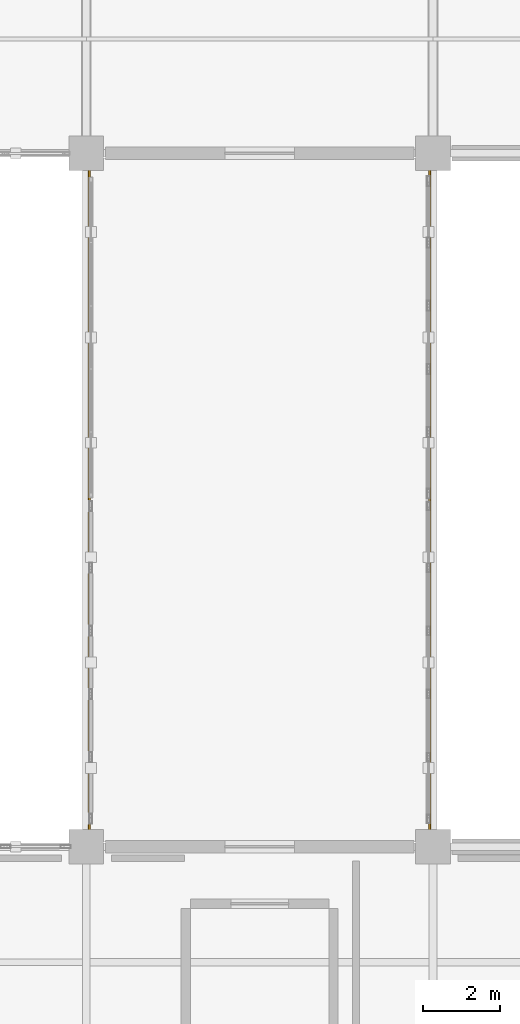
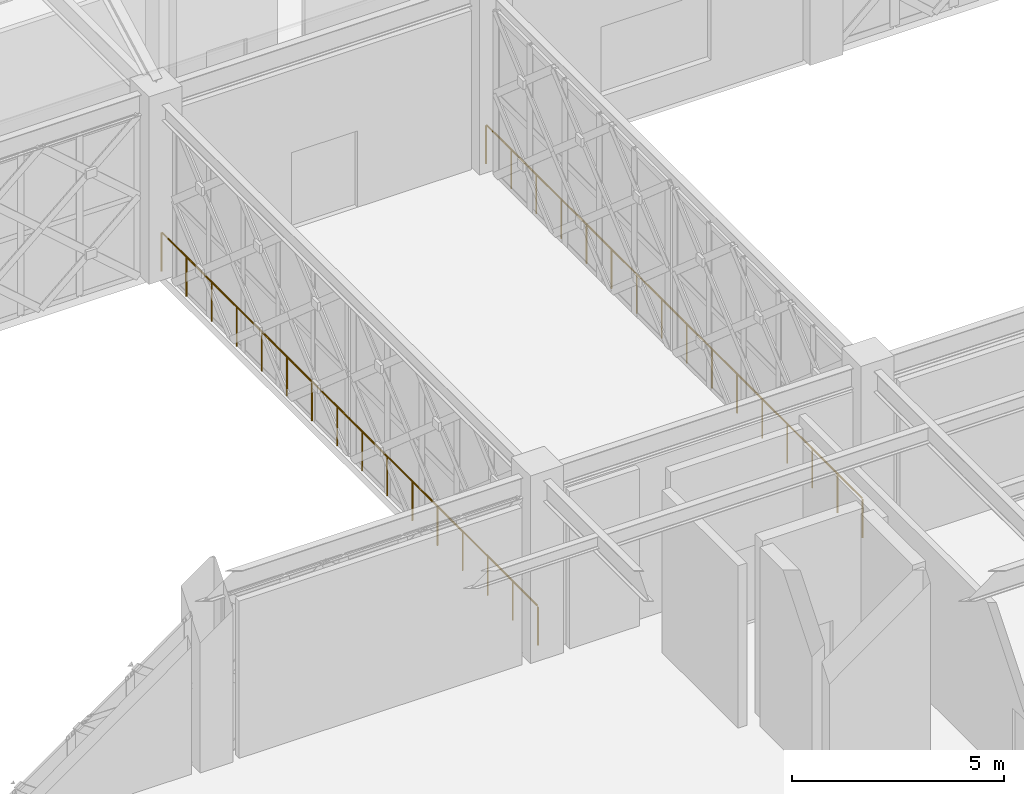
# One storey, part 154 of 166: 2 railings.
"""IFC4 building model written with IfcOpenShell, lengths in metres."""

from ifc_helpers import new_model, si_unit, direction, frame, origin, origin_2d, place, context, subcontext, project, spatial, circle, extrude, material, type_object, element, save


model = new_model("IFC4")

# Units and contexts
model_context = context("Model", 3, precision=1e-05, world=origin(), true_north=direction((0.0, 1.0)))
body_context = subcontext(model_context, "Body", "Model", "MODEL_VIEW")
ifc_project = project(units=[si_unit("LENGTHUNIT", "METRE"), si_unit("AREAUNIT", "SQUARE_METRE"), si_unit("VOLUMEUNIT", "CUBIC_METRE"), si_unit("PLANEANGLEUNIT", "RADIAN"), si_unit("MASSUNIT", "GRAM", prefix="KILO")], contexts=[model_context])

# Site, building, storey
site_placement = place(None, origin())
site = spatial("IfcSite", under=ifc_project, at=site_placement, CompositionType="ELEMENT")
building_placement = place(site_placement, origin())
building = spatial("IfcBuilding", under=site, at=building_placement, Name="Haizhuo Lancet Aquarium", CompositionType="ELEMENT")
storey_placement = place(building_placement, frame((0.0, 0.0, 5.39990234375)))
storey = spatial("IfcBuildingStorey", under=building, at=storey_placement, Name="L01", CompositionType="ELEMENT", Elevation=5.39990234375)

# Railings
ifc_material = material(Name="Steel S355", Category="steel")
railing_type = type_object("IfcRailingType", Name="RL-GRD-1150", PredefinedType="GUARDRAIL", material=ifc_material)
railing_1_placement = place(storey_placement, frame((-62.919921875, -8.8798828125, 0.0)))
element("IfcRailing", 1, at=railing_1_placement, inside=storey, type_object=railing_type, Name="Sky-bridge floor edge guardrail SB-01 W", PredefinedType="GUARDRAIL", context=body_context, shape_type="SweptSolid", body=[
    extrude(circle(Radius=0.02392578125, at=origin_2d()), frame((0.0, 0.030029296875, 1.1259765625), z_axis=(0.0, 1.0, 0.0), x_axis=(-1.0, 0.0, 0.0)), (0.0, 0.0, 1.0), 17.69970703125),
    extrude(circle(Radius=0.02099609375, at=origin_2d()), origin(), (0.0, 0.0, 1.0), 1.097900390625),
    extrude(circle(Radius=0.02099609375, at=origin_2d()), frame((0.0, 1.18408203125, 0.0)), (0.0, 0.0, 1.0), 1.097900390625),
    extrude(circle(Radius=0.02099609375, at=origin_2d()), frame((0.0, 2.367919921875, 0.0)), (0.0, 0.0, 1.0), 1.097900390625),
    extrude(circle(Radius=0.02099609375, at=origin_2d()), frame((0.0, 3.552001953125, 0.0)), (0.0, 0.0, 1.0), 1.097900390625),
    extrude(circle(Radius=0.02099609375, at=origin_2d()), frame((0.0, 4.73583984375, 0.0)), (0.0, 0.0, 1.0), 1.097900390625),
    extrude(circle(Radius=0.02099609375, at=origin_2d()), frame((0.0, 5.919921875, 0.0)), (0.0, 0.0, 1.0), 1.097900390625),
    extrude(circle(Radius=0.02099609375, at=origin_2d()), frame((0.0, 7.10400390625, 0.0)), (0.0, 0.0, 1.0), 1.097900390625),
    extrude(circle(Radius=0.02099609375, at=origin_2d()), frame((0.0, 8.287841796875, 0.0)), (0.0, 0.0, 1.0), 1.097900390625),
    extrude(circle(Radius=0.02099609375, at=origin_2d()), frame((0.0, 9.471923828125, 0.0)), (0.0, 0.0, 1.0), 1.097900390625),
    extrude(circle(Radius=0.02099609375, at=origin_2d()), frame((0.0, 10.65576171875, 0.0)), (0.0, 0.0, 1.0), 1.097900390625),
    extrude(circle(Radius=0.02099609375, at=origin_2d()), frame((0.0, 11.83984375, 0.0)), (0.0, 0.0, 1.0), 1.097900390625),
    extrude(circle(Radius=0.02099609375, at=origin_2d()), frame((0.0, 13.02392578125, 0.0)), (0.0, 0.0, 1.0), 1.097900390625),
    extrude(circle(Radius=0.02099609375, at=origin_2d()), frame((0.0, 14.207763671875, 0.0)), (0.0, 0.0, 1.0), 1.097900390625),
    extrude(circle(Radius=0.02099609375, at=origin_2d()), frame((0.0, 15.391845703125, 0.0)), (0.0, 0.0, 1.0), 1.097900390625),
    extrude(circle(Radius=0.02099609375, at=origin_2d()), frame((0.0, 16.57568359375, 0.0)), (0.0, 0.0, 1.0), 1.097900390625),
    extrude(circle(Radius=0.02099609375, at=origin_2d()), frame((0.0, 17.759765625, 0.0)), (0.0, 0.0, 1.0), 1.097900390625),
])
railing_2_placement = place(storey_placement, frame((-54.080078125, -8.8798828125, 0.0)))
element("IfcRailing", 2, at=railing_2_placement, inside=storey, type_object=railing_type, Name="Sky-bridge floor edge guardrail SB-01 E", PredefinedType="GUARDRAIL", context=body_context, shape_type="SweptSolid", body=[
    extrude(circle(Radius=0.02392578125, at=origin_2d()), frame((0.0, 0.030029296875, 1.1259765625), z_axis=(0.0, 1.0, 0.0), x_axis=(-1.0, 0.0, 0.0)), (0.0, 0.0, 1.0), 17.69970703125),
    extrude(circle(Radius=0.02099609375, at=origin_2d()), origin(), (0.0, 0.0, 1.0), 1.097900390625),
    extrude(circle(Radius=0.02099609375, at=origin_2d()), frame((0.0, 1.18408203125, 0.0)), (0.0, 0.0, 1.0), 1.097900390625),
    extrude(circle(Radius=0.02099609375, at=origin_2d()), frame((0.0, 2.367919921875, 0.0)), (0.0, 0.0, 1.0), 1.097900390625),
    extrude(circle(Radius=0.02099609375, at=origin_2d()), frame((0.0, 3.552001953125, 0.0)), (0.0, 0.0, 1.0), 1.097900390625),
    extrude(circle(Radius=0.02099609375, at=origin_2d()), frame((0.0, 4.73583984375, 0.0)), (0.0, 0.0, 1.0), 1.097900390625),
    extrude(circle(Radius=0.02099609375, at=origin_2d()), frame((0.0, 5.919921875, 0.0)), (0.0, 0.0, 1.0), 1.097900390625),
    extrude(circle(Radius=0.02099609375, at=origin_2d()), frame((0.0, 7.10400390625, 0.0)), (0.0, 0.0, 1.0), 1.097900390625),
    extrude(circle(Radius=0.02099609375, at=origin_2d()), frame((0.0, 8.287841796875, 0.0)), (0.0, 0.0, 1.0), 1.097900390625),
    extrude(circle(Radius=0.02099609375, at=origin_2d()), frame((0.0, 9.471923828125, 0.0)), (0.0, 0.0, 1.0), 1.097900390625),
    extrude(circle(Radius=0.02099609375, at=origin_2d()), frame((0.0, 10.65576171875, 0.0)), (0.0, 0.0, 1.0), 1.097900390625),
    extrude(circle(Radius=0.02099609375, at=origin_2d()), frame((0.0, 11.83984375, 0.0)), (0.0, 0.0, 1.0), 1.097900390625),
    extrude(circle(Radius=0.02099609375, at=origin_2d()), frame((0.0, 13.02392578125, 0.0)), (0.0, 0.0, 1.0), 1.097900390625),
    extrude(circle(Radius=0.02099609375, at=origin_2d()), frame((0.0, 14.207763671875, 0.0)), (0.0, 0.0, 1.0), 1.097900390625),
    extrude(circle(Radius=0.02099609375, at=origin_2d()), frame((0.0, 15.391845703125, 0.0)), (0.0, 0.0, 1.0), 1.097900390625),
    extrude(circle(Radius=0.02099609375, at=origin_2d()), frame((0.0, 16.57568359375, 0.0)), (0.0, 0.0, 1.0), 1.097900390625),
    extrude(circle(Radius=0.02099609375, at=origin_2d()), frame((0.0, 17.759765625, 0.0)), (0.0, 0.0, 1.0), 1.097900390625),
])

save(model, "model.ifc")
